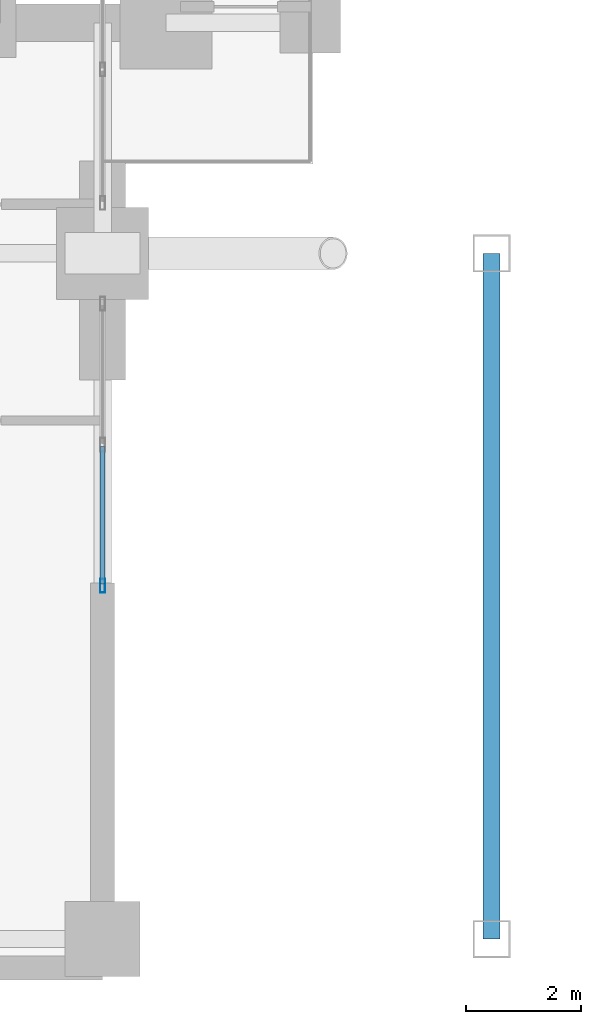
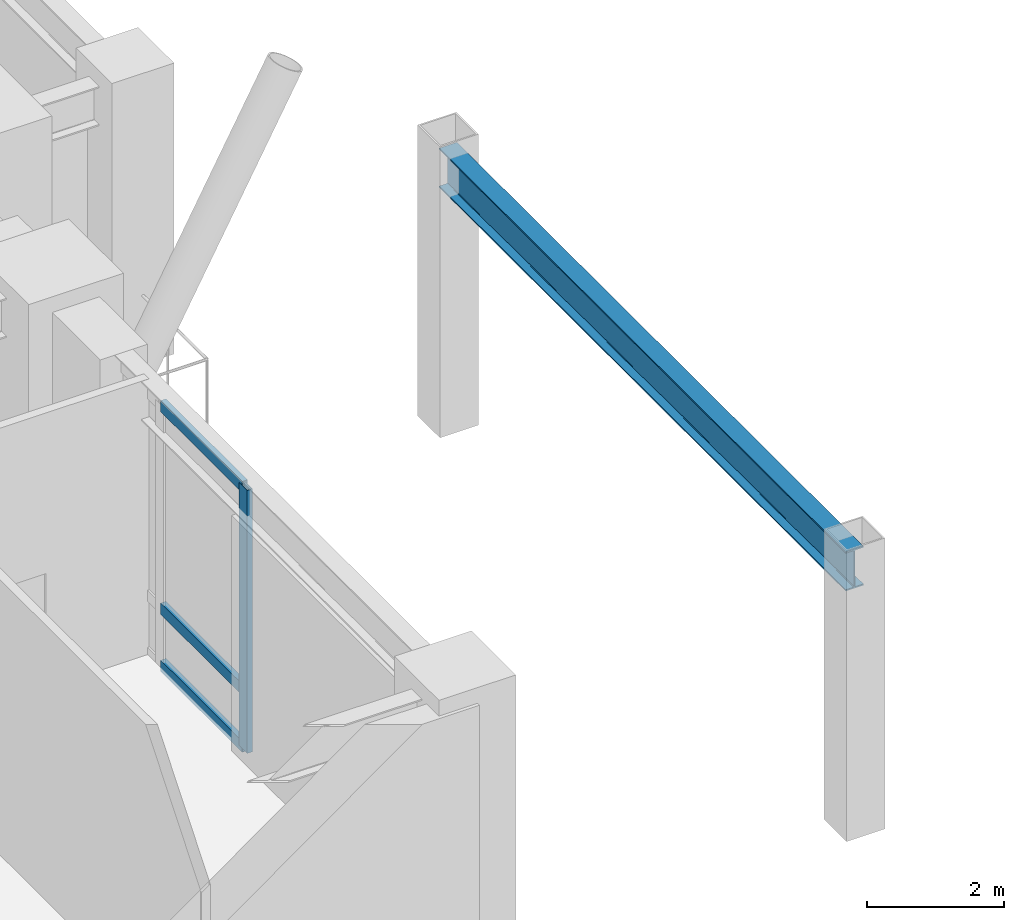
# One storey, part 2 of 27: 4 members, 1 beam, 1 element without a shape of its own.
"""IFC4 building model written with IfcOpenShell, lengths in metres."""

import ifcopenshell
import ifcopenshell.guid

model = None  # the IFC model being written
_history = None  # IfcOwnerHistory: only IFC2X3 demands one
_inside = {}  # id of a spatial element -> (the spatial element, [elements in it])
_under = {}  # id of a project, library or spatial element -> (it, [spatial elements below it])
_declared = {}  # id of a project -> (the project, [libraries it declares])
_typed = {}  # id of a type object -> (the type object, [elements of that type])
_made_of = {}  # id of a material, layer set ... -> (it, [elements and type objects made of it])


def new_model(schema):
    """Start an empty IFC model of exactly this schema.

    Asked for "IFC4X3", IfcOpenShell would pick the latest addendum, in which some entities
    have other attributes; the version numbers below select the first issue.
    IFC2X3 requires an IfcOwnerHistory on every rooted entity: one is made here for all.
    """
    global model, _history
    if schema == "IFC4X3":
        model = ifcopenshell.file(schema_version=(4, 3, 0, 0))
    else:
        model = ifcopenshell.file(schema=schema)
    _inside.clear()
    _under.clear()
    _declared.clear()
    _typed.clear()
    _made_of.clear()
    _history = None
    if model.schema == "IFC2X3":
        org = make("IfcOrganization", Name="unknown")
        user = make(
            "IfcPersonAndOrganization",
            ThePerson=make("IfcPerson", FamilyName="unknown"),
            TheOrganization=org,
        )
        app = make(
            "IfcApplication",
            ApplicationDeveloper=org,
            Version="unknown",
            ApplicationFullName="unknown",
            ApplicationIdentifier="unknown",
        )
        _history = make(
            "IfcOwnerHistory",
            OwningUser=user,
            OwningApplication=app,
            ChangeAction="ADDED",
            CreationDate=0,
        )
    return model


def make(cls, **values):
    """One entity of the class cls with the attributes given. An attribute that is None is left unset."""
    return model.create_entity(
        cls, **{name: value for name, value in values.items() if value is not None}
    )


def rooted(cls, **values):
    """An entity with a GlobalId (a new one), such as an element, a storey or a relation."""
    return make(cls, GlobalId=ifcopenshell.guid.new(), OwnerHistory=_history, **values)


def si_unit(unit_type, name, prefix=None):
    """IfcSIUnit, for example si_unit("LENGTHUNIT", "METRE", prefix="MILLI")."""
    return make("IfcSIUnit", UnitType=unit_type, Prefix=prefix, Name=name)


def assignment(units):
    """IfcUnitAssignment: the units of a project."""
    return None if units is None else make("IfcUnitAssignment", Units=units)


def point(xyz):
    """IfcCartesianPoint."""
    return None if xyz is None else make("IfcCartesianPoint", Coordinates=xyz)


def direction(xyz):
    """IfcDirection."""
    return None if xyz is None else make("IfcDirection", DirectionRatios=xyz)


def frame(location, z_axis=None, x_axis=None):
    """IfcAxis2Placement3D, a coordinate frame: its origin and axes. An axis left out is left unset."""
    return make(
        "IfcAxis2Placement3D",
        Location=point(location),
        Axis=direction(z_axis),
        RefDirection=direction(x_axis),
    )


def frame_2d(location, x_axis=None):
    """IfcAxis2Placement2D, a coordinate frame in the plane: its origin and x axis."""
    return make(
        "IfcAxis2Placement2D", Location=point(location), RefDirection=direction(x_axis)
    )


def origin():
    """The frame at (0, 0, 0) with its axes left unset."""
    return frame((0.0, 0.0, 0.0))


def origin_2d():
    """The frame at (0, 0) in the plane with its x axis left unset."""
    return frame_2d((0.0, 0.0))


def place(relative_to, where):
    """IfcLocalPlacement: puts the frame where relative to a parent placement (None: the world)."""
    return make(
        "IfcLocalPlacement", PlacementRelTo=relative_to, RelativePlacement=where
    )


def context(
    kind, dimensions, precision=None, world=None, true_north=None, identifier=None
):
    """IfcGeometricRepresentationContext, for example the 3D "Model" context."""
    return make(
        "IfcGeometricRepresentationContext",
        ContextIdentifier=identifier,
        ContextType=kind,
        CoordinateSpaceDimension=dimensions,
        Precision=precision,
        WorldCoordinateSystem=world,
        TrueNorth=true_north,
    )


def subcontext(parent, identifier, kind, view, scale=None):
    """IfcGeometricRepresentationSubContext, for example "Body" below "Model"."""
    return make(
        "IfcGeometricRepresentationSubContext",
        ContextIdentifier=identifier,
        ContextType=kind,
        ParentContext=parent,
        TargetScale=scale,
        TargetView=view,
    )


def project(units=None, contexts=None):
    """IfcProject with its units and contexts."""
    return rooted(
        "IfcProject",
        Name="project",
        RepresentationContexts=contexts,
        UnitsInContext=assignment(units),
    )


def spatial(cls, under=None, at=None, **own):
    """A site, building, storey or space (cls), placed at a placement, below another one or the project."""
    s = rooted(cls, ObjectPlacement=at, **own)
    if under is not None:
        _under.setdefault(under.id(), (under, []))[1].append(s)
    return s


def profile(cls, at=None, kind="AREA", **sizes):
    """A parametric profile (cls). Its sizes go by their IFC names, for example OverallWidth=200.0."""
    return make(cls, ProfileType=kind, Position=at, **sizes)


def hollow_rectangle(**sizes):
    """IfcRectangleHollowProfileDef."""
    return profile("IfcRectangleHollowProfileDef", **sizes)


def i_section(**sizes):
    """IfcIShapeProfileDef."""
    return profile("IfcIShapeProfileDef", **sizes)


def extrude(swept, where, along, depth):
    """IfcExtrudedAreaSolid: the profile swept, set in the frame where, extruded along a direction by depth."""
    return make(
        "IfcExtrudedAreaSolid",
        SweptArea=swept,
        Position=where,
        ExtrudedDirection=direction(along),
        Depth=depth,
    )


def shape(context_of_items, identifier, shape_type, items):
    """IfcShapeRepresentation: the items that make up one representation, for example the "Body"."""
    return make(
        "IfcShapeRepresentation",
        ContextOfItems=context_of_items,
        RepresentationIdentifier=identifier,
        RepresentationType=shape_type,
        Items=items,
    )


def material(Name=None, Category=None):
    """IfcMaterial."""
    return make("IfcMaterial", Name=Name, Category=Category)


def layer(
    of_material, thickness, ventilated=None, Name=None, Category=None, Priority=None
):
    """IfcMaterialLayer: one layer of a wall or slab, of a material (None: an air gap)."""
    return make(
        "IfcMaterialLayer",
        Material=of_material,
        LayerThickness=thickness,
        IsVentilated=ventilated,
        Name=Name,
        Category=Category,
        Priority=Priority,
    )


def layer_set(layers, Name=None):
    """IfcMaterialLayerSet."""
    return make("IfcMaterialLayerSet", MaterialLayers=layers, LayerSetName=Name)


def material_profile(
    of_material, cross_section, Name=None, Category=None, Priority=None
):
    """IfcMaterialProfile: a cross section and its material."""
    return make(
        "IfcMaterialProfile",
        Name=Name,
        Material=of_material,
        Profile=cross_section,
        Priority=Priority,
        Category=Category,
    )


def profile_set(profiles, Name=None, composite=None):
    """IfcMaterialProfileSet."""
    return make(
        "IfcMaterialProfileSet",
        Name=Name,
        MaterialProfiles=profiles,
        CompositeProfile=composite,
    )


def made_of(thing, what):
    """Note that an element or type object is made of a material, layer set ...; save() writes the relation."""
    if what is not None:
        _made_of.setdefault(what.id(), (what, []))[1].append(thing)
    return thing


def type_object(cls, material=None, **own):
    """A type object (cls), such as IfcWallType, which elements share."""
    return made_of(rooted(cls, **own), material)


def element(
    cls,
    number,
    at=None,
    inside=None,
    cuts=None,
    type_object=None,
    material=None,
    context=None,
    identifier="Body",
    shape_type=None,
    held_by="IfcProductDefinitionShape",
    body=None,
    shapes=None,
    **own,
):
    """One element of the class cls, such as IfcWall. Its Tag is "e" and its number.

    at: its placement. inside: the storey or other place that contains it. cuts: it is an
    opening in that element (IfcRelVoidsElement). A single representation is given by context,
    identifier, shape_type and body (its items); several are given by shapes. held_by: the class
    of the entity that holds the representations. save() writes the other relations.
    """
    e = rooted(cls, Tag="e%d" % number, ObjectPlacement=at, **own)
    if body is not None:
        shapes = [shape(context, identifier, shape_type, body)]
    if shapes is not None:
        e.Representation = make(held_by, Representations=shapes)
    if inside is not None:
        _inside.setdefault(inside.id(), (inside, []))[1].append(e)
    if cuts is not None:
        rooted(
            "IfcRelVoidsElement", RelatingBuildingElement=cuts, RelatedOpeningElement=e
        )
    if type_object is not None:
        _typed.setdefault(type_object.id(), (type_object, []))[1].append(e)
    return made_of(e, material)


def aggregate(whole, parts):
    """IfcRelAggregates: a whole, such as a stair, and the parts it consists of."""
    return rooted("IfcRelAggregates", RelatingObject=whole, RelatedObjects=parts)


def save(model, path):
    """Write the relations noted so far, then the file.

    IfcRelAggregates (storeys below a building ...), IfcRelContainedInSpatialStructure (elements
    in a storey), IfcRelDefinesByType, IfcRelAssociatesMaterial and IfcRelDeclares: one each for
    every whole, place, type object, material and project.
    """
    for whole, parts in _under.values():
        aggregate(whole, parts)
    for where, things in _inside.values():
        rooted(
            "IfcRelContainedInSpatialStructure",
            RelatedElements=things,
            RelatingStructure=where,
        )
    for kind, things in _typed.values():
        rooted("IfcRelDefinesByType", RelatedObjects=things, RelatingType=kind)
    for what, things in _made_of.values():
        rooted("IfcRelAssociatesMaterial", RelatedObjects=things, RelatingMaterial=what)
    for by, libraries in _declared.values():
        rooted("IfcRelDeclares", RelatingContext=by, RelatedDefinitions=libraries)
    model.write(path)


model = new_model("IFC4")

# Units and contexts
model_context = context("Model", 3, precision=1e-05, world=origin(), true_north=direction((0.0, 1.0)))
body_context = subcontext(model_context, "Body", "Model", "MODEL_VIEW")
ifc_project = project(units=[si_unit("LENGTHUNIT", "METRE"), si_unit("AREAUNIT", "SQUARE_METRE"), si_unit("VOLUMEUNIT", "CUBIC_METRE"), si_unit("PLANEANGLEUNIT", "RADIAN"), si_unit("MASSUNIT", "GRAM", prefix="KILO")], contexts=[model_context])

# Site, building, storey
site_placement = place(None, origin())
site = spatial("IfcSite", under=ifc_project, at=site_placement, CompositionType="ELEMENT")
building_placement = place(site_placement, origin())
building = spatial("IfcBuilding", under=site, at=building_placement, Name="Voryun Gate Residences", CompositionType="ELEMENT")
storey_placement = place(building_placement, frame((0.0, 0.0, 5.199951171875)))
storey = spatial("IfcBuildingStorey", under=building, at=storey_placement, Name="L01", CompositionType="ELEMENT", Elevation=5.199951171875)

# Beam
ifc_material_1 = material(Name="Steel SM355", Category="steel")
ifc_material_profile_1 = material_profile(ifc_material_1, i_section(OverallWidth=0.300048828125, OverallDepth=0.699951171875, WebThickness=0.012939453125, FlangeThickness=0.02392578125, FilletRadius=0.01806640625, at=origin_2d()), Name="H-700x300x13x24")
ifc_profile_set_1 = profile_set([ifc_material_profile_1], Name="Steel SM355")
beam_type = type_object("IfcBeamType", Name="BM_GIRD_700", PredefinedType="USERDEFINED", material=ifc_profile_set_1)
beam_placement = place(storey_placement, frame((-6.75, -23.300048828125, 4.570068359375), z_axis=(0.0, 1.0, 0.0), x_axis=(-1.0, 0.0, 0.0)))
element("IfcBeam", 1, at=beam_placement, inside=storey, type_object=beam_type, Name="BM-L01-APY-S--6.75", ObjectType="GIRDER", PredefinedType="USERDEFINED", context=body_context, shape_type="SweptSolid", body=[
    extrude(i_section(OverallWidth=0.300048828125, OverallDepth=0.699951171875, WebThickness=0.012939453125, FlangeThickness=0.02392578125, FilletRadius=0.01806640625, at=origin_2d()), origin(), (0.0, 0.0, 1.0), 11.900146484375),
])

# Curtain wall, members
ifc_material_2 = material(Name="Anodised aluminium", Category="aluminium")
ifc_layer = layer(ifc_material_2, 0.239990234375, Name="CW_SYS_ARCH_DARK_GLASS")
ifc_layer_set = layer_set([ifc_layer], Name="Anodised aluminium")
curtain_wall_type = type_object("IfcCurtainWallType", Name="CW_SYS_ARCH_DARK_GLASS", PredefinedType="NOTDEFINED", material=ifc_layer_set)
curtain_wall_placement = place(storey_placement, origin())
curtain_wall = element("IfcCurtainWall", 2, at=curtain_wall_placement, inside=storey, type_object=curtain_wall_type, Name="Curtain wall CW2-L01-WP-S", PredefinedType="NOTDEFINED")
ifc_material_3 = material(Name="Anodised aluminium", Category="aluminium")
ifc_material_profile_2 = material_profile(ifc_material_3, hollow_rectangle(XDim=0.090087890625, YDim=0.239990234375, WallThickness=0.006103515625, at=origin_2d()), Name="ALU-MULL-240x90x6")
ifc_profile_set_2 = profile_set([ifc_material_profile_2], Name="Anodised aluminium")
member_type_1 = type_object("IfcMemberType", Name="CW_MULL_ARCH", PredefinedType="MULLION", material=ifc_profile_set_2)
member_1_placement = place(storey_placement, frame((-13.5, -17.169921875, 0.0), z_axis=(0.0, 0.0, 1.0), x_axis=(-1.0, 0.0, 0.0)))
member_1 = element("IfcMember", 3, at=member_1_placement, type_object=member_type_1, Name="CW2 mullion 1", PredefinedType="MULLION", context=body_context, shape_type="SweptSolid", body=[
    extrude(hollow_rectangle(XDim=0.090087890625, YDim=0.239990234375, WallThickness=0.006103515625, at=origin_2d()), origin(), (0.0, 0.0, 1.0), 4.699951171875),
])
ifc_material_4 = material(Name="Anodised aluminium", Category="aluminium")
ifc_material_profile_3 = material_profile(ifc_material_4, hollow_rectangle(XDim=0.090087890625, YDim=0.199951171875, WallThickness=0.006103515625, at=origin_2d()), Name="ALU-TRAN-200x90x6")
ifc_profile_set_3 = profile_set([ifc_material_profile_3], Name="Anodised aluminium")
member_type_2 = type_object("IfcMemberType", Name="CW_TRAN_ARCH", PredefinedType="USERDEFINED", material=ifc_profile_set_3)
member_2_placement = place(storey_placement, frame((-13.5, -17.139892578125, 0.030029296875), z_axis=(0.0, 1.0, 0.0), x_axis=(-1.0, 0.0, 0.0)))
member_2 = element("IfcMember", 4, at=member_2_placement, type_object=member_type_2, Name="CW2 transom 1.1", ObjectType="TRANSOM", PredefinedType="USERDEFINED", context=body_context, shape_type="SweptSolid", body=[
    extrude(hollow_rectangle(XDim=0.090087890625, YDim=0.199951171875, WallThickness=0.006103515625, at=origin_2d()), origin(), (0.0, 0.0, 1.0), 2.387451171875),
])
member_3_placement = place(storey_placement, frame((-13.5, -17.139892578125, 1.050048828125), z_axis=(0.0, 1.0, 0.0), x_axis=(-1.0, 0.0, 0.0)))
member_3 = element("IfcMember", 5, at=member_3_placement, type_object=member_type_2, Name="CW2 transom 1.2", ObjectType="TRANSOM", PredefinedType="USERDEFINED", context=body_context, shape_type="SweptSolid", body=[
    extrude(hollow_rectangle(XDim=0.090087890625, YDim=0.199951171875, WallThickness=0.006103515625, at=origin_2d()), origin(), (0.0, 0.0, 1.0), 2.387451171875),
])
member_4_placement = place(storey_placement, frame((-13.5, -17.139892578125, 4.670166015625), z_axis=(0.0, 1.0, 0.0), x_axis=(-1.0, 0.0, 0.0)))
member_4 = element("IfcMember", 6, at=member_4_placement, type_object=member_type_2, Name="CW2 transom 1.3", ObjectType="TRANSOM", PredefinedType="USERDEFINED", context=body_context, shape_type="SweptSolid", body=[
    extrude(hollow_rectangle(XDim=0.090087890625, YDim=0.199951171875, WallThickness=0.006103515625, at=origin_2d()), origin(), (0.0, 0.0, 1.0), 2.387451171875),
])
aggregate(curtain_wall, [member_1, member_2, member_3, member_4])

save(model, "model.ifc")
